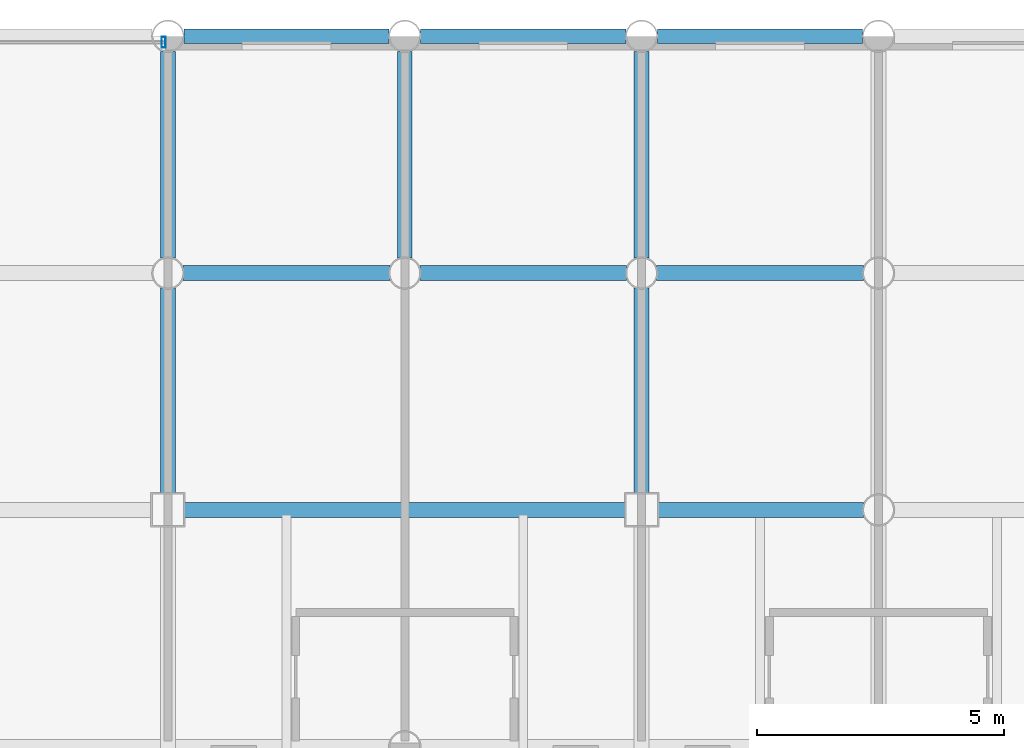
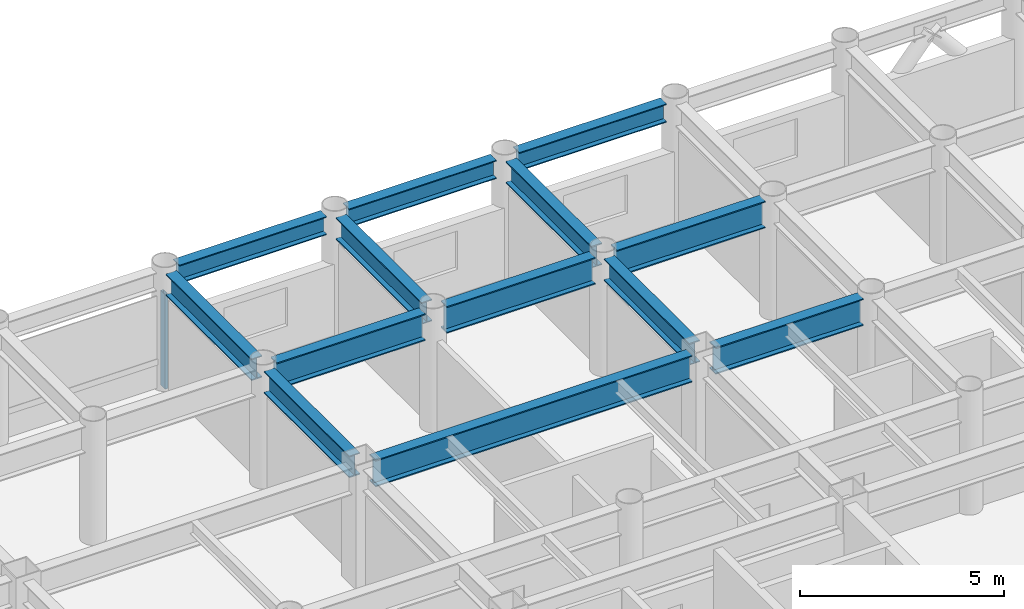
# One storey, part 14 of 22: 13 beams, 1 member, 1 element without a shape of its own.
"""IFC4 building model written with IfcOpenShell, lengths in metres."""

from ifc_helpers import new_model, si_unit, direction, frame, origin, origin_2d, place, context, subcontext, project, spatial, hollow_rectangle, i_section, extrude, material, layer, layer_set, material_profile, profile_set, type_object, element, aggregate, save


model = new_model("IFC4")

# Units and contexts
model_context = context("Model", 3, precision=1e-05, world=origin(), true_north=direction((0.0, 1.0)))
body_context = subcontext(model_context, "Body", "Model", "MODEL_VIEW")
ifc_project = project(units=[si_unit("LENGTHUNIT", "METRE"), si_unit("AREAUNIT", "SQUARE_METRE"), si_unit("VOLUMEUNIT", "CUBIC_METRE"), si_unit("PLANEANGLEUNIT", "RADIAN"), si_unit("MASSUNIT", "GRAM", prefix="KILO")], contexts=[model_context])

# Site, building, storey
site_placement = place(None, origin())
site = spatial("IfcSite", under=ifc_project, at=site_placement, CompositionType="ELEMENT")
building_placement = place(site_placement, origin())
building = spatial("IfcBuilding", under=site, at=building_placement, Name="Kallvorn Hotel Tower", CompositionType="ELEMENT")
storey_placement = place(building_placement, frame((0.0, 0.0, 117.39990234375)))
storey = spatial("IfcBuildingStorey", under=building, at=storey_placement, Name="L28", CompositionType="ELEMENT", Elevation=117.39990234375)

# Beams
ifc_material_1 = material(Name="Structural steel S355JR", Category="steel")
ifc_material_profile_1 = material_profile(ifc_material_1, i_section(OverallWidth=0.300048828125, OverallDepth=0.550048828125, WebThickness=0.014892578125, FlangeThickness=0.029052734375, at=origin_2d()), Name="HE 550 B")
ifc_profile_set_1 = profile_set([ifc_material_profile_1], Name="Structural steel S355JR")
beam_type_1 = type_object("IfcBeamType", Name="BM_HE550B", PredefinedType="SPANDREL", material=ifc_profile_set_1)
beam_1_placement = place(storey_placement, frame((5.1201171875, 24.0, 3.2451171875), z_axis=(1.0, 0.0, 0.0), x_axis=(0.0, 1.0, 0.0)))
element("IfcBeam", 1, at=beam_1_placement, inside=storey, type_object=beam_type_1, Name="L29 Perimeter Spandrel 169", PredefinedType="SPANDREL", context=body_context, shape_type="SweptSolid", body=[
    extrude(i_section(OverallWidth=0.300048828125, OverallDepth=0.550048828125, WebThickness=0.014892578125, FlangeThickness=0.029052734375, at=origin_2d()), origin(), (0.0, 0.0, 1.0), 4.159912109375),
])
beam_2_placement = place(storey_placement, frame((9.919921875, 24.0, 3.2451171875), z_axis=(1.0, 0.0, 0.0), x_axis=(0.0, 1.0, 0.0)))
element("IfcBeam", 2, at=beam_2_placement, inside=storey, type_object=beam_type_1, Name="L29 Perimeter Spandrel 170", PredefinedType="SPANDREL", context=body_context, shape_type="SweptSolid", body=[
    extrude(i_section(OverallWidth=0.300048828125, OverallDepth=0.550048828125, WebThickness=0.014892578125, FlangeThickness=0.029052734375, at=origin_2d()), origin(), (0.0, 0.0, 1.0), 4.16015625),
])
beam_3_placement = place(storey_placement, frame((14.719970703125, 24.0, 3.2451171875), z_axis=(1.0, 0.0, 0.0), x_axis=(0.0, 1.0, 0.0)))
element("IfcBeam", 3, at=beam_3_placement, inside=storey, type_object=beam_type_1, Name="L29 Perimeter Spandrel 171", PredefinedType="SPANDREL", context=body_context, shape_type="SweptSolid", body=[
    extrude(i_section(OverallWidth=0.300048828125, OverallDepth=0.550048828125, WebThickness=0.014892578125, FlangeThickness=0.029052734375, at=origin_2d()), origin(), (0.0, 0.0, 1.0), 4.159912109375),
])
ifc_material_2 = material(Name="Structural steel S355JR", Category="steel")
ifc_material_profile_2 = material_profile(ifc_material_2, i_section(OverallWidth=0.300048828125, OverallDepth=0.64990234375, WebThickness=0.01611328125, FlangeThickness=0.031005859375, at=origin_2d()), Name="HE 650 B")
ifc_profile_set_2 = profile_set([ifc_material_profile_2], Name="Structural steel S355JR")
beam_type_2 = type_object("IfcBeamType", Name="BM_HE650B", PredefinedType="BEAM", material=ifc_profile_set_2)
beam_4_placement = place(storey_placement, frame((4.800048828125, 14.72509765625, 3.195068359375), z_axis=(0.0, 1.0, 0.0), x_axis=(-1.0, 0.0, 0.0)))
element("IfcBeam", 4, at=beam_4_placement, inside=storey, type_object=beam_type_2, Name="L29 Primary Y-Girder 116", PredefinedType="BEAM", context=body_context, shape_type="SweptSolid", body=[
    extrude(i_section(OverallWidth=0.300048828125, OverallDepth=0.64990234375, WebThickness=0.01611328125, FlangeThickness=0.031005859375, at=origin_2d()), origin(), (0.0, 0.0, 1.0), 4.169921875),
])
for number, where, z_axis, x_axis, name in (
    (5, (4.800048828125, 19.5048828125, 3.195068359375), (0.0, 1.0, 0.0), (-1.0, 0.0, 0.0), "L29 Primary Y-Girder 117"),
    (6, (9.60009765625, 19.5048828125, 3.195068359375), (0.0, 1.0, 0.0), (-1.0, 0.0, 0.0), "L29 Primary Y-Girder 120"),
):
    element("IfcBeam", number, at=place(storey_placement, frame(where, z_axis=z_axis, x_axis=x_axis)), inside=storey, type_object=beam_type_2, Name=name, PredefinedType="BEAM", context=body_context, shape_type="SweptSolid", body=[
        extrude(i_section(OverallWidth=0.300048828125, OverallDepth=0.64990234375, WebThickness=0.01611328125, FlangeThickness=0.031005859375, at=origin_2d()), origin(), (0.0, 0.0, 1.0), 4.190185546875),
    ])
beam_5_placement = place(storey_placement, frame((14.39990234375, 14.72509765625, 3.195068359375), z_axis=(0.0, 1.0, 0.0), x_axis=(-1.0, 0.0, 0.0)))
element("IfcBeam", 7, at=beam_5_placement, inside=storey, type_object=beam_type_2, Name="L29 Primary Y-Girder 124", PredefinedType="BEAM", context=body_context, shape_type="SweptSolid", body=[
    extrude(i_section(OverallWidth=0.300048828125, OverallDepth=0.64990234375, WebThickness=0.01611328125, FlangeThickness=0.031005859375, at=origin_2d()), origin(), (0.0, 0.0, 1.0), 4.169921875),
])
beam_6_placement = place(storey_placement, frame((14.39990234375, 19.5048828125, 3.195068359375), z_axis=(0.0, 1.0, 0.0), x_axis=(-1.0, 0.0, 0.0)))
element("IfcBeam", 8, at=beam_6_placement, inside=storey, type_object=beam_type_2, Name="L29 Primary Y-Girder 125", PredefinedType="BEAM", context=body_context, shape_type="SweptSolid", body=[
    extrude(i_section(OverallWidth=0.300048828125, OverallDepth=0.64990234375, WebThickness=0.01611328125, FlangeThickness=0.031005859375, at=origin_2d()), origin(), (0.0, 0.0, 1.0), 4.190185546875),
])
ifc_material_3 = material(Name="Structural steel S355JR", Category="steel")
ifc_material_profile_3 = material_profile(ifc_material_3, i_section(OverallWidth=0.300048828125, OverallDepth=0.800048828125, WebThickness=0.017578125, FlangeThickness=0.032958984375, at=origin_2d()), Name="HE 800 B")
ifc_profile_set_3 = profile_set([ifc_material_profile_3], Name="Structural steel S355JR")
beam_type_3 = type_object("IfcBeamType", Name="BM_HE800B", PredefinedType="BEAM", material=ifc_profile_set_3)
beam_7_placement = place(storey_placement, frame((5.125, 14.39990234375, 3.1201171875), z_axis=(1.0, 0.0, 0.0), x_axis=(0.0, 1.0, 0.0)))
element("IfcBeam", 9, at=beam_7_placement, inside=storey, type_object=beam_type_3, Name="L29 Primary X-Girder 55", PredefinedType="BEAM", context=body_context, shape_type="SweptSolid", body=[
    extrude(i_section(OverallWidth=0.300048828125, OverallDepth=0.800048828125, WebThickness=0.017578125, FlangeThickness=0.032958984375, at=origin_2d()), origin(), (0.0, 0.0, 1.0), 8.949951171875),
])
beam_8_placement = place(storey_placement, frame((14.72509765625, 14.39990234375, 3.1201171875), z_axis=(1.0, 0.0, 0.0), x_axis=(0.0, 1.0, 0.0)))
element("IfcBeam", 10, at=beam_8_placement, inside=storey, type_object=beam_type_3, Name="L29 Primary X-Girder 56", PredefinedType="BEAM", context=body_context, shape_type="SweptSolid", body=[
    extrude(i_section(OverallWidth=0.300048828125, OverallDepth=0.800048828125, WebThickness=0.017578125, FlangeThickness=0.032958984375, at=origin_2d()), origin(), (0.0, 0.0, 1.0), 4.169921875),
])
for number, where, z_axis, x_axis, name in (
    (11, (5.10498046875, 19.199951171875, 3.1201171875), (1.0, 0.0, 0.0), (0.0, 1.0, 0.0), "L29 Primary X-Girder 67"),
    (12, (9.905029296875, 19.199951171875, 3.1201171875), (1.0, 0.0, 0.0), (0.0, 1.0, 0.0), "L29 Primary X-Girder 68"),
    (13, (14.705078125, 19.199951171875, 3.1201171875), (1.0, 0.0, 0.0), (0.0, 1.0, 0.0), "L29 Primary X-Girder 69"),
):
    element("IfcBeam", number, at=place(storey_placement, frame(where, z_axis=z_axis, x_axis=x_axis)), inside=storey, type_object=beam_type_3, Name=name, PredefinedType="BEAM", context=body_context, shape_type="SweptSolid", body=[
        extrude(i_section(OverallWidth=0.300048828125, OverallDepth=0.800048828125, WebThickness=0.017578125, FlangeThickness=0.032958984375, at=origin_2d()), origin(), (0.0, 0.0, 1.0), 4.18994140625),
    ])

# Curtain wall, member
ifc_material_4 = material(Name="Thermally broken black-anodised aluminium AA 6063-T6", Category="aluminium")
ifc_layer = layer(ifc_material_4, 0.199951171875)
ifc_layer_set = layer_set([ifc_layer], Name="CW_SYS_3_HOTEL_LOW")
curtain_wall_type = type_object("IfcCurtainWallType", Name="CW_SYS_3_HOTEL_LOW", PredefinedType="USERDEFINED", material=ifc_layer_set)
curtain_wall_placement = place(storey_placement, origin())
curtain_wall = element("IfcCurtainWall", 14, at=curtain_wall_placement, inside=storey, type_object=curtain_wall_type, Name="L28 Dark-Glass Curtain Wall CW-L28-NC", ObjectType="UNITISED CURTAIN WALL", PredefinedType="USERDEFINED")
ifc_material_5 = material(Name="Thermally broken black-anodised aluminium AA 6063-T6", Category="aluminium")
ifc_material_profile_4 = material_profile(ifc_material_5, hollow_rectangle(XDim=0.080078125, YDim=0.219970703125, WallThickness=0.0048828125, at=origin_2d()), Name="MUL 220x80")
ifc_profile_set_4 = profile_set([ifc_material_profile_4], Name="Thermally broken black-anodised aluminium AA 6063-T6")
member_type = type_object("IfcMemberType", Name="CW_MULLION_220x80", PredefinedType="MULLION", material=ifc_profile_set_4)
member_placement = place(storey_placement, frame((4.7099609375, 23.8798828125, 0.02001953125), z_axis=(0.0, 0.0, 1.0), x_axis=(1.0, 0.0, 0.0)))
member = element("IfcMember", 15, at=member_placement, type_object=member_type, Name="CW-L28-NC Mullion 02", PredefinedType="MULLION", context=body_context, shape_type="SweptSolid", body=[
    extrude(hollow_rectangle(XDim=0.080078125, YDim=0.219970703125, WallThickness=0.0048828125, at=origin_2d()), origin(), (0.0, 0.0, 1.0), 2.830078125),
])
aggregate(curtain_wall, [member])

save(model, "model.ifc")
